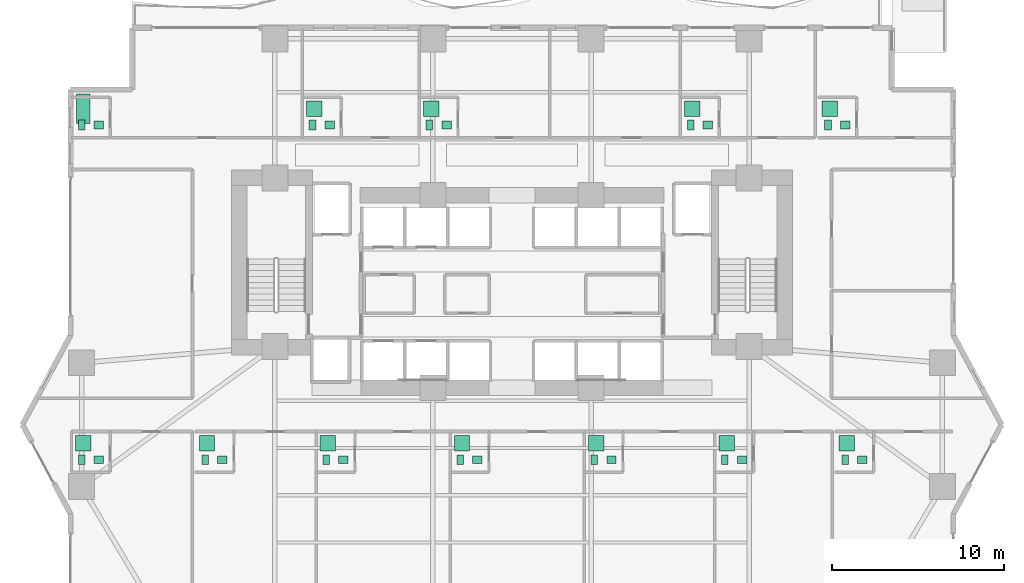
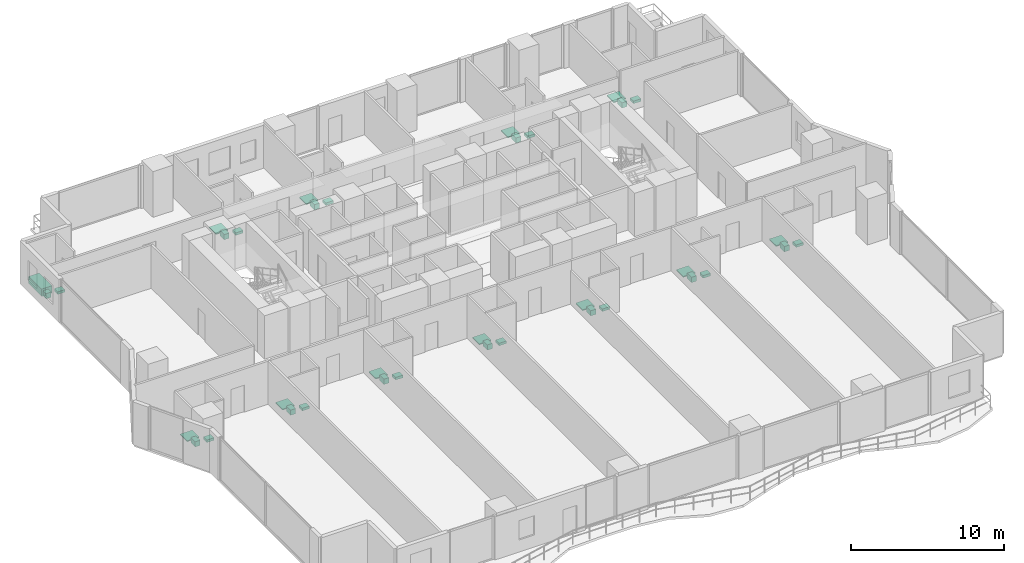
# One storey, part 28 of 28: 36 sanitary terminals.
"""IFC4 building model written with IfcOpenShell, lengths in metres."""

from ifc_helpers import new_model, si_unit, direction, frame, origin, origin_2d, place, context, subcontext, project, spatial, rectangle, extrude, material, type_object, element, save


model = new_model("IFC4")

# Units and contexts
model_context = context("Model", 3, precision=1e-05, world=origin(), true_north=direction((0.0, 1.0)))
body_context = subcontext(model_context, "Body", "Model", "MODEL_VIEW")
ifc_project = project(units=[si_unit("LENGTHUNIT", "METRE"), si_unit("AREAUNIT", "SQUARE_METRE"), si_unit("VOLUMEUNIT", "CUBIC_METRE"), si_unit("PLANEANGLEUNIT", "RADIAN"), si_unit("MASSUNIT", "GRAM", prefix="KILO")], contexts=[model_context])

# Site, building, storey
site_placement = place(None, origin())
site = spatial("IfcSite", under=ifc_project, at=site_placement, CompositionType="ELEMENT")
building_placement = place(site_placement, origin())
building = spatial("IfcBuilding", under=site, at=building_placement, Name="Zuhayl Quay Hotel", CompositionType="ELEMENT")
storey_placement = place(building_placement, frame((0.0, 0.0, 56.800048828125)))
storey = spatial("IfcBuildingStorey", under=building, at=storey_placement, Name="L13", CompositionType="ELEMENT", Elevation=56.800048828125)

# Sanitary terminals
ifc_material = material(Name="Vitreous Porcelain Sanitaryware")
sanitary_terminal_type_1 = type_object("IfcSanitaryTerminalType", Name="SAN_BASIN", PredefinedType="WASHHANDBASIN", material=ifc_material)
for number, where, z_axis, x_axis, name in (
    (1, (-24.050048828125, 17.43994140625, 0.0), (0.0, 0.0, 1.0), (1.0, 0.0, 0.0), "L13 Sanitary Fixture WASHHANDBASIN"),
    (2, (-10.610107421875, 17.43994140625, 0.0), (0.0, 0.0, 1.0), (1.0, 0.0, 0.0), "L13 Sanitary Fixture WASHHANDBASIN"),
    (3, (-3.81005859375, 17.43994140625, 0.0), (0.0, 0.0, 1.0), (1.0, 0.0, 0.0), "L13 Sanitary Fixture WASHHANDBASIN"),
    (4, (11.389892578125, 17.43994140625, 0.0), (0.0, 0.0, 1.0), (1.0, 0.0, 0.0), "L13 Sanitary Fixture WASHHANDBASIN"),
    (5, (19.389892578125, 17.43994140625, 0.0), (0.0, 0.0, 1.0), (1.0, 0.0, 0.0), "L13 Sanitary Fixture WASHHANDBASIN"),
    (6, (-24.050048828125, -2.0400390625, 0.0), (0.0, 0.0, 1.0), (1.0, 0.0, 0.0), "L13 Sanitary Fixture WASHHANDBASIN"),
    (7, (-16.85009765625, -2.0400390625, 0.0), (0.0, 0.0, 1.0), (1.0, 0.0, 0.0), "L13 Sanitary Fixture WASHHANDBASIN"),
    (8, (-9.81005859375, -2.0400390625, 0.0), (0.0, 0.0, 1.0), (1.0, 0.0, 0.0), "L13 Sanitary Fixture WASHHANDBASIN"),
    (9, (-2.010009765625, -2.0400390625, 0.0), (0.0, 0.0, 1.0), (1.0, 0.0, 0.0), "L13 Sanitary Fixture WASHHANDBASIN"),
    (10, (5.7900390625, -2.0400390625, 0.0), (0.0, 0.0, 1.0), (1.0, 0.0, 0.0), "L13 Sanitary Fixture WASHHANDBASIN"),
    (11, (13.389892578125, -2.0400390625, 0.0), (0.0, 0.0, 1.0), (1.0, 0.0, 0.0), "L13 Sanitary Fixture WASHHANDBASIN"),
    (12, (20.389892578125, -2.0400390625, 0.0), (0.0, 0.0, 1.0), (1.0, 0.0, 0.0), "L13 Sanitary Fixture WASHHANDBASIN"),
):
    element("IfcSanitaryTerminal", number, at=place(storey_placement, frame(where, z_axis=z_axis, x_axis=x_axis)), inside=storey, type_object=sanitary_terminal_type_1, Name=name, PredefinedType="WASHHANDBASIN", context=body_context, shape_type="SweptSolid", body=[
        extrude(rectangle(XDim=0.550048828125, YDim=0.449951171875, at=origin_2d()), origin(), (0.0, 0.0, 1.0), 0.199951171875),
    ])
sanitary_terminal_type_2 = type_object("IfcSanitaryTerminalType", Name="SAN_BATH", PredefinedType="BATH", material=ifc_material)
sanitary_terminal_placement = place(storey_placement, frame((-24.949951171875, 18.389892578125, 0.0), z_axis=(0.0, 0.0, 1.0), x_axis=(1.0, 0.0, 0.0)))
element("IfcSanitaryTerminal", 13, at=sanitary_terminal_placement, inside=storey, type_object=sanitary_terminal_type_2, Name="L13 Sanitary Fixture BATH", PredefinedType="BATH", context=body_context, shape_type="SweptSolid", body=[
    extrude(rectangle(XDim=0.800048828125, YDim=1.699951171875, at=origin_2d()), origin(), (0.0, 0.0, 1.0), 0.580078125),
])
sanitary_terminal_type_3 = type_object("IfcSanitaryTerminalType", Name="SAN_SHOWER", PredefinedType="SHOWER", material=ifc_material)
for number, where, z_axis, x_axis, name in (
    (14, (-11.510009765625, 18.389892578125, 0.0), (0.0, 0.0, 1.0), (1.0, 0.0, 0.0), "L13 Sanitary Fixture SHOWER"),
    (15, (-4.7099609375, 18.389892578125, 0.0), (0.0, 0.0, 1.0), (1.0, 0.0, 0.0), "L13 Sanitary Fixture SHOWER"),
    (16, (10.489990234375, 18.389892578125, 0.0), (0.0, 0.0, 1.0), (1.0, 0.0, 0.0), "L13 Sanitary Fixture SHOWER"),
    (17, (18.489990234375, 18.389892578125, 0.0), (0.0, 0.0, 1.0), (1.0, 0.0, 0.0), "L13 Sanitary Fixture SHOWER"),
    (18, (-24.949951171875, -1.090087890625, 0.0), (0.0, 0.0, 1.0), (1.0, 0.0, 0.0), "L13 Sanitary Fixture SHOWER"),
    (19, (-17.75, -1.090087890625, 0.0), (0.0, 0.0, 1.0), (1.0, 0.0, 0.0), "L13 Sanitary Fixture SHOWER"),
    (20, (-10.7099609375, -1.090087890625, 0.0), (0.0, 0.0, 1.0), (1.0, 0.0, 0.0), "L13 Sanitary Fixture SHOWER"),
    (21, (-2.909912109375, -1.090087890625, 0.0), (0.0, 0.0, 1.0), (1.0, 0.0, 0.0), "L13 Sanitary Fixture SHOWER"),
    (22, (4.889892578125, -1.090087890625, 0.0), (0.0, 0.0, 1.0), (1.0, 0.0, 0.0), "L13 Sanitary Fixture SHOWER"),
    (23, (12.489990234375, -1.090087890625, 0.0), (0.0, 0.0, 1.0), (1.0, 0.0, 0.0), "L13 Sanitary Fixture SHOWER"),
    (24, (19.489990234375, -1.090087890625, 0.0), (0.0, 0.0, 1.0), (1.0, 0.0, 0.0), "L13 Sanitary Fixture SHOWER"),
):
    element("IfcSanitaryTerminal", number, at=place(storey_placement, frame(where, z_axis=z_axis, x_axis=x_axis)), inside=storey, type_object=sanitary_terminal_type_3, Name=name, PredefinedType="SHOWER", context=body_context, shape_type="SweptSolid", body=[
        extrude(rectangle(XDim=0.89990234375, YDim=0.89990234375, at=origin_2d()), origin(), (0.0, 0.0, 1.0), 0.080078125),
    ])
sanitary_terminal_type_4 = type_object("IfcSanitaryTerminalType", Name="SAN_WC", PredefinedType="TOILETPAN", material=ifc_material)
for number, where, z_axis, x_axis, name in (
    (25, (-25.050048828125, 17.43994140625, 0.0), (0.0, 0.0, 1.0), (1.0, 0.0, 0.0), "L13 Sanitary Fixture TOILETPAN"),
    (26, (-11.610107421875, 17.43994140625, 0.0), (0.0, 0.0, 1.0), (1.0, 0.0, 0.0), "L13 Sanitary Fixture TOILETPAN"),
    (27, (-4.81005859375, 17.43994140625, 0.0), (0.0, 0.0, 1.0), (1.0, 0.0, 0.0), "L13 Sanitary Fixture TOILETPAN"),
    (28, (10.389892578125, 17.43994140625, 0.0), (0.0, 0.0, 1.0), (1.0, 0.0, 0.0), "L13 Sanitary Fixture TOILETPAN"),
    (29, (18.389892578125, 17.43994140625, 0.0), (0.0, 0.0, 1.0), (1.0, 0.0, 0.0), "L13 Sanitary Fixture TOILETPAN"),
    (30, (-25.050048828125, -2.0400390625, 0.0), (0.0, 0.0, 1.0), (1.0, 0.0, 0.0), "L13 Sanitary Fixture TOILETPAN"),
    (31, (-17.85009765625, -2.0400390625, 0.0), (0.0, 0.0, 1.0), (1.0, 0.0, 0.0), "L13 Sanitary Fixture TOILETPAN"),
    (32, (-10.81005859375, -2.0400390625, 0.0), (0.0, 0.0, 1.0), (1.0, 0.0, 0.0), "L13 Sanitary Fixture TOILETPAN"),
    (33, (-3.010009765625, -2.0400390625, 0.0), (0.0, 0.0, 1.0), (1.0, 0.0, 0.0), "L13 Sanitary Fixture TOILETPAN"),
    (34, (4.7900390625, -2.0400390625, 0.0), (0.0, 0.0, 1.0), (1.0, 0.0, 0.0), "L13 Sanitary Fixture TOILETPAN"),
    (35, (12.389892578125, -2.0400390625, 0.0), (0.0, 0.0, 1.0), (1.0, 0.0, 0.0), "L13 Sanitary Fixture TOILETPAN"),
    (36, (19.389892578125, -2.0400390625, 0.0), (0.0, 0.0, 1.0), (1.0, 0.0, 0.0), "L13 Sanitary Fixture TOILETPAN"),
):
    element("IfcSanitaryTerminal", number, at=place(storey_placement, frame(where, z_axis=z_axis, x_axis=x_axis)), inside=storey, type_object=sanitary_terminal_type_4, Name=name, PredefinedType="TOILETPAN", context=body_context, shape_type="SweptSolid", body=[
        extrude(rectangle(XDim=0.3798828125, YDim=0.56005859375, at=origin_2d()), origin(), (0.0, 0.0, 1.0), 0.419921875),
    ])

save(model, "model.ifc")
